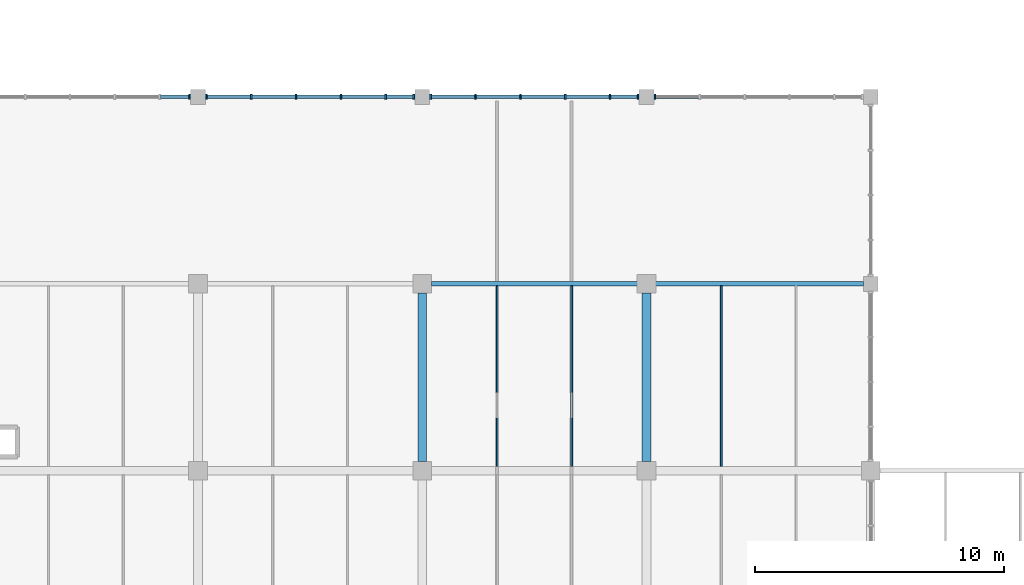
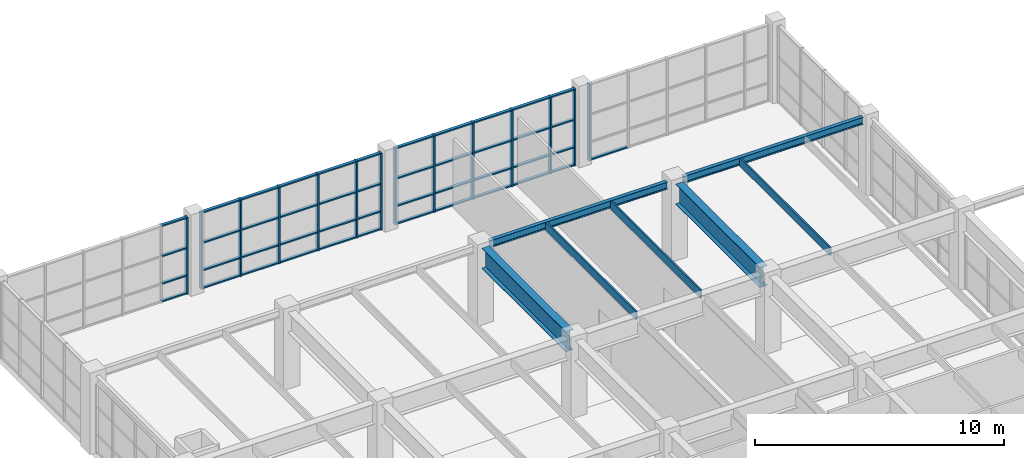
# One storey, part 16 of 76: 59 members, 7 beams, 4 elements without a shape of their own.
"""IFC4 building model written with IfcOpenShell, lengths in metres."""

from ifc_helpers import new_model, si_unit, direction, frame, origin, origin_2d, place, context, subcontext, project, spatial, rectangle, i_section, extrude, material, layer, layer_set, material_profile, profile_set, type_object, element, aggregate, save


model = new_model("IFC4")

# Units and contexts
model_context = context("Model", 3, precision=1e-05, world=origin(), true_north=direction((0.0, 1.0)))
body_context = subcontext(model_context, "Body", "Model", "MODEL_VIEW")
ifc_project = project(units=[si_unit("LENGTHUNIT", "METRE"), si_unit("AREAUNIT", "SQUARE_METRE"), si_unit("VOLUMEUNIT", "CUBIC_METRE"), si_unit("PLANEANGLEUNIT", "RADIAN"), si_unit("MASSUNIT", "GRAM", prefix="KILO")], contexts=[model_context])

# Site, building, storey
site_placement = place(None, origin())
site = spatial("IfcSite", under=ifc_project, at=site_placement, CompositionType="ELEMENT")
building_placement = place(site_placement, origin())
building = spatial("IfcBuilding", under=site, at=building_placement, Name="Marnridge Secondary College", CompositionType="ELEMENT")
storey_placement = place(building_placement, frame((0.0, 0.0, 4.5)))
storey = spatial("IfcBuildingStorey", under=building, at=storey_placement, Name="L01", CompositionType="ELEMENT", Elevation=4.5)

# Beams
ifc_material_1 = material(Name="Engineered timber LVL E13.2", Category="wood")
ifc_material_profile_1 = material_profile(ifc_material_1, rectangle(XDim=0.074951171875, YDim=0.39990234375, at=origin_2d()), Name="LVL 75x400")
ifc_profile_set_1 = profile_set([ifc_material_profile_1], Name="Engineered timber LVL E13.2")
beam_type_1 = type_object("IfcBeamType", Name="BM-LVL400-INT", PredefinedType="JOIST", material=ifc_profile_set_1)
for number, where, z_axis, x_axis, name in (
    (1, (21.0, 30.1689453125, 3.570068359375), (0.0, 1.0, 0.0), (-1.0, 0.0, 0.0), "Beam BJ-L01-0752"),
    (2, (24.0, 30.1689453125, 3.570068359375), (0.0, 1.0, 0.0), (-1.0, 0.0, 0.0), "Beam BJ-L01-0753"),
    (3, (30.0, 30.1689453125, 3.570068359375), (0.0, 1.0, 0.0), (-1.0, 0.0, 0.0), "Beam BJ-L01-0754"),
):
    element("IfcBeam", number, at=place(storey_placement, frame(where, z_axis=z_axis, x_axis=x_axis)), inside=storey, type_object=beam_type_1, Name=name, PredefinedType="JOIST", context=body_context, shape_type="SweptSolid", body=[
        extrude(rectangle(XDim=0.074951171875, YDim=0.39990234375, at=origin_2d()), origin(), (0.0, 0.0, 1.0), 7.25146484375),
    ])
ifc_material_2 = material(Name="Structural steel Grade 350 (AS/NZS 3679.1/.2, fy = 340-360 MPa)", Category="steel")
ifc_material_profile_2 = material_profile(ifc_material_2, i_section(OverallWidth=0.1708984375, OverallDepth=0.35205078125, WebThickness=0.0068359375, FlangeThickness=0.009765625, FilletRadius=0.011474609375, at=origin_2d()), Name="360UB44.7")
ifc_profile_set_2 = profile_set([ifc_material_profile_2], Name="Structural steel Grade 350 (AS/NZS 3679.1/.2, fy = 340-360 MPa)")
beam_type_2 = type_object("IfcBeamType", Name="BM-UB360-EXT", PredefinedType="SPANDREL", material=ifc_profile_set_2)
beam_1_placement = place(storey_placement, frame((18.368896484375, 37.5, 3.593994140625), z_axis=(1.0, 0.0, 0.0), x_axis=(0.0, 1.0, 0.0)))
element("IfcBeam", 4, at=beam_1_placement, inside=storey, type_object=beam_type_2, Name="Beam BS-L01-0709", PredefinedType="SPANDREL", context=body_context, shape_type="SweptSolid", body=[
    extrude(i_section(OverallWidth=0.1708984375, OverallDepth=0.35205078125, WebThickness=0.0068359375, FlangeThickness=0.009765625, FilletRadius=0.011474609375, at=origin_2d()), origin(), (0.0, 0.0, 1.0), 8.26220703125),
])
beam_2_placement = place(storey_placement, frame((27.368896484375, 37.5, 3.593994140625), z_axis=(1.0, 0.0, 0.0), x_axis=(0.0, 1.0, 0.0)))
element("IfcBeam", 5, at=beam_2_placement, inside=storey, type_object=beam_type_2, Name="Beam BS-L01-0711", PredefinedType="SPANDREL", context=body_context, shape_type="SweptSolid", body=[
    extrude(i_section(OverallWidth=0.1708984375, OverallDepth=0.35205078125, WebThickness=0.0068359375, FlangeThickness=0.009765625, FilletRadius=0.011474609375, at=origin_2d()), origin(), (0.0, 0.0, 1.0), 8.337158203125),
])
ifc_material_3 = material(Name="Structural steel Grade 350 (AS/NZS 3679.1/.2, fy = 340-360 MPa)", Category="steel")
ifc_material_profile_3 = material_profile(ifc_material_3, i_section(OverallWidth=0.35009765625, OverallDepth=0.989990234375, WebThickness=0.01611328125, FlangeThickness=0.02490234375, at=origin_2d()), Name="1000WB258")
ifc_profile_set_3 = profile_set([ifc_material_profile_3], Name="Structural steel Grade 350 (AS/NZS 3679.1/.2, fy = 340-360 MPa)")
beam_type_3 = type_object("IfcBeamType", Name="BM-WB1000-INT", PredefinedType="BEAM", material=ifc_profile_set_3)
for number, where, z_axis, x_axis, name in (
    (6, (18.0, 30.368896484375, 3.27490234375), (0.0, 1.0, 0.0), (-1.0, 0.0, 0.0), "Beam B-L01-0708"),
    (7, (27.0, 30.368896484375, 3.27490234375), (0.0, 1.0, 0.0), (-1.0, 0.0, 0.0), "Beam B-L01-0710"),
):
    element("IfcBeam", number, at=place(storey_placement, frame(where, z_axis=z_axis, x_axis=x_axis)), inside=storey, type_object=beam_type_3, Name=name, PredefinedType="BEAM", context=body_context, shape_type="SweptSolid", body=[
        extrude(i_section(OverallWidth=0.35009765625, OverallDepth=0.989990234375, WebThickness=0.01611328125, FlangeThickness=0.02490234375, at=origin_2d()), origin(), (0.0, 0.0, 1.0), 6.76220703125),
    ])

# Curtain wall, member
ifc_material_4 = material(Name="Bronze-anodised aluminium and solar-control glazing", Category="aluminium")
ifc_layer = layer(ifc_material_4, 0.199951171875)
ifc_layer_set = layer_set([ifc_layer], Name="CW-MOD-1800")
curtain_wall_type = type_object("IfcCurtainWallType", Name="CW-MOD-1800", PredefinedType="NOTDEFINED", material=ifc_layer_set)
curtain_wall_1_placement = place(storey_placement, origin())
curtain_wall_1 = element("IfcCurtainWall", 8, at=curtain_wall_1_placement, inside=storey, type_object=curtain_wall_type, Name="Unitised curtain wall CW-L01-059", PredefinedType="NOTDEFINED")
ifc_material_5 = material(Name="Bronze-anodised aluminium 6063-T6", Category="aluminium")
ifc_material_profile_4 = material_profile(ifc_material_5, rectangle(XDim=0.070068359375, YDim=0.199951171875, at=origin_2d()), Name="ALU 70x200")
ifc_profile_set_4 = profile_set([ifc_material_profile_4], Name="Bronze-anodised aluminium 6063-T6")
member_type_1 = type_object("IfcMemberType", Name="CWM-ALU200", PredefinedType="MULLION", material=ifc_profile_set_4)
member_1_placement = place(storey_placement, frame((8.660888671875, 45.0, 0.0), z_axis=(0.0, 0.0, 1.0), x_axis=(1.0, 0.0, 0.0)))
member_1 = element("IfcMember", 9, at=member_1_placement, type_object=member_type_1, Name="CW-L01-059 mullion 6", PredefinedType="MULLION", context=body_context, shape_type="SweptSolid", body=[
    extrude(rectangle(XDim=0.070068359375, YDim=0.199951171875, at=origin_2d()), origin(), (0.0, 0.0, 1.0), 3.77001953125),
])

# Curtain wall, members
curtain_wall_2_placement = place(storey_placement, origin())
curtain_wall_2 = element("IfcCurtainWall", 10, at=curtain_wall_2_placement, inside=storey, type_object=curtain_wall_type, Name="Unitised curtain wall CW-L01-060", PredefinedType="NOTDEFINED")
member_2_placement = place(storey_placement, frame((9.339111328125, 45.0, 0.0), z_axis=(0.0, 0.0, 1.0), x_axis=(1.0, 0.0, 0.0)))
member_2 = element("IfcMember", 11, at=member_2_placement, type_object=member_type_1, Name="CW-L01-060 mullion 1", PredefinedType="MULLION", context=body_context, shape_type="SweptSolid", body=[
    extrude(rectangle(XDim=0.070068359375, YDim=0.199951171875, at=origin_2d()), origin(), (0.0, 0.0, 1.0), 3.77001953125),
])
member_3_placement = place(storey_placement, frame((11.138916015625, 45.0, 0.0), z_axis=(0.0, 0.0, 1.0), x_axis=(1.0, 0.0, 0.0)))
member_3 = element("IfcMember", 12, at=member_3_placement, type_object=member_type_1, Name="CW-L01-060 mullion 2", PredefinedType="MULLION", context=body_context, shape_type="SweptSolid", body=[
    extrude(rectangle(XDim=0.070068359375, YDim=0.199951171875, at=origin_2d()), origin(), (0.0, 0.0, 1.0), 3.77001953125),
])
member_4_placement = place(storey_placement, frame((12.93896484375, 45.0, 0.0), z_axis=(0.0, 0.0, 1.0), x_axis=(1.0, 0.0, 0.0)))
member_4 = element("IfcMember", 13, at=member_4_placement, type_object=member_type_1, Name="CW-L01-060 mullion 3", PredefinedType="MULLION", context=body_context, shape_type="SweptSolid", body=[
    extrude(rectangle(XDim=0.070068359375, YDim=0.199951171875, at=origin_2d()), origin(), (0.0, 0.0, 1.0), 3.77001953125),
])
member_5_placement = place(storey_placement, frame((14.739013671875, 45.0, 0.0), z_axis=(0.0, 0.0, 1.0), x_axis=(1.0, 0.0, 0.0)))
member_5 = element("IfcMember", 14, at=member_5_placement, type_object=member_type_1, Name="CW-L01-060 mullion 4", PredefinedType="MULLION", context=body_context, shape_type="SweptSolid", body=[
    extrude(rectangle(XDim=0.070068359375, YDim=0.199951171875, at=origin_2d()), origin(), (0.0, 0.0, 1.0), 3.77001953125),
])
member_6_placement = place(storey_placement, frame((16.5390625, 45.0, 0.0), z_axis=(0.0, 0.0, 1.0), x_axis=(1.0, 0.0, 0.0)))
member_6 = element("IfcMember", 15, at=member_6_placement, type_object=member_type_1, Name="CW-L01-060 mullion 5", PredefinedType="MULLION", context=body_context, shape_type="SweptSolid", body=[
    extrude(rectangle(XDim=0.070068359375, YDim=0.199951171875, at=origin_2d()), origin(), (0.0, 0.0, 1.0), 3.77001953125),
])
member_7_placement = place(storey_placement, frame((17.660888671875, 45.0, 0.0), z_axis=(0.0, 0.0, 1.0), x_axis=(1.0, 0.0, 0.0)))
member_7 = element("IfcMember", 16, at=member_7_placement, type_object=member_type_1, Name="CW-L01-060 mullion 6", PredefinedType="MULLION", context=body_context, shape_type="SweptSolid", body=[
    extrude(rectangle(XDim=0.070068359375, YDim=0.199951171875, at=origin_2d()), origin(), (0.0, 0.0, 1.0), 3.77001953125),
])

curtain_wall_3_placement = place(storey_placement, origin())
curtain_wall_3 = element("IfcCurtainWall", 17, at=curtain_wall_3_placement, inside=storey, type_object=curtain_wall_type, Name="Unitised curtain wall CW-L01-061", PredefinedType="NOTDEFINED")
member_8_placement = place(storey_placement, frame((18.339111328125, 45.0, 0.0), z_axis=(0.0, 0.0, 1.0), x_axis=(1.0, 0.0, 0.0)))
member_8 = element("IfcMember", 18, at=member_8_placement, type_object=member_type_1, Name="CW-L01-061 mullion 1", PredefinedType="MULLION", context=body_context, shape_type="SweptSolid", body=[
    extrude(rectangle(XDim=0.070068359375, YDim=0.199951171875, at=origin_2d()), origin(), (0.0, 0.0, 1.0), 3.77001953125),
])
member_9_placement = place(storey_placement, frame((20.138916015625, 45.0, 0.0), z_axis=(0.0, 0.0, 1.0), x_axis=(1.0, 0.0, 0.0)))
member_9 = element("IfcMember", 19, at=member_9_placement, type_object=member_type_1, Name="CW-L01-061 mullion 2", PredefinedType="MULLION", context=body_context, shape_type="SweptSolid", body=[
    extrude(rectangle(XDim=0.070068359375, YDim=0.199951171875, at=origin_2d()), origin(), (0.0, 0.0, 1.0), 3.77001953125),
])
member_10_placement = place(storey_placement, frame((21.93896484375, 45.0, 0.0), z_axis=(0.0, 0.0, 1.0), x_axis=(1.0, 0.0, 0.0)))
member_10 = element("IfcMember", 20, at=member_10_placement, type_object=member_type_1, Name="CW-L01-061 mullion 3", PredefinedType="MULLION", context=body_context, shape_type="SweptSolid", body=[
    extrude(rectangle(XDim=0.070068359375, YDim=0.199951171875, at=origin_2d()), origin(), (0.0, 0.0, 1.0), 3.77001953125),
])
member_11_placement = place(storey_placement, frame((23.739013671875, 45.0, 0.0), z_axis=(0.0, 0.0, 1.0), x_axis=(1.0, 0.0, 0.0)))
member_11 = element("IfcMember", 21, at=member_11_placement, type_object=member_type_1, Name="CW-L01-061 mullion 4", PredefinedType="MULLION", context=body_context, shape_type="SweptSolid", body=[
    extrude(rectangle(XDim=0.070068359375, YDim=0.199951171875, at=origin_2d()), origin(), (0.0, 0.0, 1.0), 3.77001953125),
])
member_12_placement = place(storey_placement, frame((25.5390625, 45.0, 0.0), z_axis=(0.0, 0.0, 1.0), x_axis=(1.0, 0.0, 0.0)))
member_12 = element("IfcMember", 22, at=member_12_placement, type_object=member_type_1, Name="CW-L01-061 mullion 5", PredefinedType="MULLION", context=body_context, shape_type="SweptSolid", body=[
    extrude(rectangle(XDim=0.070068359375, YDim=0.199951171875, at=origin_2d()), origin(), (0.0, 0.0, 1.0), 3.77001953125),
])
member_13_placement = place(storey_placement, frame((26.660888671875, 45.0, 0.0), z_axis=(0.0, 0.0, 1.0), x_axis=(1.0, 0.0, 0.0)))
member_13 = element("IfcMember", 23, at=member_13_placement, type_object=member_type_1, Name="CW-L01-061 mullion 6", PredefinedType="MULLION", context=body_context, shape_type="SweptSolid", body=[
    extrude(rectangle(XDim=0.070068359375, YDim=0.199951171875, at=origin_2d()), origin(), (0.0, 0.0, 1.0), 3.77001953125),
])

# Curtain wall, member
curtain_wall_4_placement = place(storey_placement, origin())
curtain_wall_4 = element("IfcCurtainWall", 24, at=curtain_wall_4_placement, inside=storey, type_object=curtain_wall_type, Name="Unitised curtain wall CW-L01-062", PredefinedType="NOTDEFINED")
member_14_placement = place(storey_placement, frame((27.339111328125, 45.0, 0.0), z_axis=(0.0, 0.0, 1.0), x_axis=(1.0, 0.0, 0.0)))
member_14 = element("IfcMember", 25, at=member_14_placement, type_object=member_type_1, Name="CW-L01-062 mullion 1", PredefinedType="MULLION", context=body_context, shape_type="SweptSolid", body=[
    extrude(rectangle(XDim=0.070068359375, YDim=0.199951171875, at=origin_2d()), origin(), (0.0, 0.0, 1.0), 3.77001953125),
])

# Member
ifc_material_6 = material(Name="Anodised aluminium 6063-T6", Category="aluminium")
ifc_material_profile_5 = material_profile(ifc_material_6, rectangle(XDim=0.06494140625, YDim=0.139892578125, at=origin_2d()), Name="ALU 65x140")
ifc_profile_set_5 = profile_set([ifc_material_profile_5], Name="Anodised aluminium 6063-T6")
member_type_2 = type_object("IfcMemberType", Name="CWT-ALU140", PredefinedType="USERDEFINED", material=ifc_profile_set_5)
member_15_placement = place(storey_placement, frame((7.4990234375, 45.0, 0.032470703125), z_axis=(1.0, 0.0, 0.0), x_axis=(0.0, 0.0, 1.0)))
member_15 = element("IfcMember", 26, at=member_15_placement, type_object=member_type_2, Name="CW-L01-059 transom 5.1", ObjectType="TRANSOM", PredefinedType="USERDEFINED", context=body_context, shape_type="SweptSolid", body=[
    extrude(rectangle(XDim=0.06494140625, YDim=0.139892578125, at=origin_2d()), origin(), (0.0, 0.0, 1.0), 1.126953125),
])

member_16_placement = place(storey_placement, frame((7.4990234375, 45.0, 0.89990234375), z_axis=(1.0, 0.0, 0.0), x_axis=(0.0, 0.0, 1.0)))
member_16 = element("IfcMember", 27, at=member_16_placement, type_object=member_type_2, Name="CW-L01-059 transom 5.2", ObjectType="TRANSOM", PredefinedType="USERDEFINED", context=body_context, shape_type="SweptSolid", body=[
    extrude(rectangle(XDim=0.06494140625, YDim=0.139892578125, at=origin_2d()), origin(), (0.0, 0.0, 1.0), 1.126953125),
])

member_17_placement = place(storey_placement, frame((7.4990234375, 45.0, 2.25), z_axis=(1.0, 0.0, 0.0), x_axis=(0.0, 0.0, 1.0)))
member_17 = element("IfcMember", 28, at=member_17_placement, type_object=member_type_2, Name="CW-L01-059 transom 5.3", ObjectType="TRANSOM", PredefinedType="USERDEFINED", context=body_context, shape_type="SweptSolid", body=[
    extrude(rectangle(XDim=0.06494140625, YDim=0.139892578125, at=origin_2d()), origin(), (0.0, 0.0, 1.0), 1.126953125),
])

member_18_placement = place(storey_placement, frame((7.4990234375, 45.0, 3.737548828125), z_axis=(1.0, 0.0, 0.0), x_axis=(0.0, 0.0, 1.0)))
member_18 = element("IfcMember", 29, at=member_18_placement, type_object=member_type_2, Name="CW-L01-059 transom 5.4", ObjectType="TRANSOM", PredefinedType="USERDEFINED", context=body_context, shape_type="SweptSolid", body=[
    extrude(rectangle(XDim=0.06494140625, YDim=0.139892578125, at=origin_2d()), origin(), (0.0, 0.0, 1.0), 1.126953125),
])

aggregate(curtain_wall_1, [member_1, member_15, member_16, member_17, member_18])

member_19_placement = place(storey_placement, frame((9.3740234375, 45.0, 0.032470703125), z_axis=(1.0, 0.0, 0.0), x_axis=(0.0, 0.0, 1.0)))
member_19 = element("IfcMember", 30, at=member_19_placement, type_object=member_type_2, Name="CW-L01-060 transom 1.1", ObjectType="TRANSOM", PredefinedType="USERDEFINED", context=body_context, shape_type="SweptSolid", body=[
    extrude(rectangle(XDim=0.06494140625, YDim=0.139892578125, at=origin_2d()), origin(), (0.0, 0.0, 1.0), 1.72998046875),
])

member_20_placement = place(storey_placement, frame((9.3740234375, 45.0, 0.89990234375), z_axis=(1.0, 0.0, 0.0), x_axis=(0.0, 0.0, 1.0)))
member_20 = element("IfcMember", 31, at=member_20_placement, type_object=member_type_2, Name="CW-L01-060 transom 1.2", ObjectType="TRANSOM", PredefinedType="USERDEFINED", context=body_context, shape_type="SweptSolid", body=[
    extrude(rectangle(XDim=0.06494140625, YDim=0.139892578125, at=origin_2d()), origin(), (0.0, 0.0, 1.0), 1.72998046875),
])

member_21_placement = place(storey_placement, frame((9.3740234375, 45.0, 2.25), z_axis=(1.0, 0.0, 0.0), x_axis=(0.0, 0.0, 1.0)))
member_21 = element("IfcMember", 32, at=member_21_placement, type_object=member_type_2, Name="CW-L01-060 transom 1.3", ObjectType="TRANSOM", PredefinedType="USERDEFINED", context=body_context, shape_type="SweptSolid", body=[
    extrude(rectangle(XDim=0.06494140625, YDim=0.139892578125, at=origin_2d()), origin(), (0.0, 0.0, 1.0), 1.72998046875),
])

member_22_placement = place(storey_placement, frame((9.3740234375, 45.0, 3.737548828125), z_axis=(1.0, 0.0, 0.0), x_axis=(0.0, 0.0, 1.0)))
member_22 = element("IfcMember", 33, at=member_22_placement, type_object=member_type_2, Name="CW-L01-060 transom 1.4", ObjectType="TRANSOM", PredefinedType="USERDEFINED", context=body_context, shape_type="SweptSolid", body=[
    extrude(rectangle(XDim=0.06494140625, YDim=0.139892578125, at=origin_2d()), origin(), (0.0, 0.0, 1.0), 1.72998046875),
])

member_23_placement = place(storey_placement, frame((11.174072265625, 45.0, 0.032470703125), z_axis=(1.0, 0.0, 0.0), x_axis=(0.0, 0.0, 1.0)))
member_23 = element("IfcMember", 34, at=member_23_placement, type_object=member_type_2, Name="CW-L01-060 transom 2.1", ObjectType="TRANSOM", PredefinedType="USERDEFINED", context=body_context, shape_type="SweptSolid", body=[
    extrude(rectangle(XDim=0.06494140625, YDim=0.139892578125, at=origin_2d()), origin(), (0.0, 0.0, 1.0), 1.72998046875),
])

member_24_placement = place(storey_placement, frame((11.174072265625, 45.0, 0.89990234375), z_axis=(1.0, 0.0, 0.0), x_axis=(0.0, 0.0, 1.0)))
member_24 = element("IfcMember", 35, at=member_24_placement, type_object=member_type_2, Name="CW-L01-060 transom 2.2", ObjectType="TRANSOM", PredefinedType="USERDEFINED", context=body_context, shape_type="SweptSolid", body=[
    extrude(rectangle(XDim=0.06494140625, YDim=0.139892578125, at=origin_2d()), origin(), (0.0, 0.0, 1.0), 1.72998046875),
])

member_25_placement = place(storey_placement, frame((11.174072265625, 45.0, 2.25), z_axis=(1.0, 0.0, 0.0), x_axis=(0.0, 0.0, 1.0)))
member_25 = element("IfcMember", 36, at=member_25_placement, type_object=member_type_2, Name="CW-L01-060 transom 2.3", ObjectType="TRANSOM", PredefinedType="USERDEFINED", context=body_context, shape_type="SweptSolid", body=[
    extrude(rectangle(XDim=0.06494140625, YDim=0.139892578125, at=origin_2d()), origin(), (0.0, 0.0, 1.0), 1.72998046875),
])

member_26_placement = place(storey_placement, frame((11.174072265625, 45.0, 3.737548828125), z_axis=(1.0, 0.0, 0.0), x_axis=(0.0, 0.0, 1.0)))
member_26 = element("IfcMember", 37, at=member_26_placement, type_object=member_type_2, Name="CW-L01-060 transom 2.4", ObjectType="TRANSOM", PredefinedType="USERDEFINED", context=body_context, shape_type="SweptSolid", body=[
    extrude(rectangle(XDim=0.06494140625, YDim=0.139892578125, at=origin_2d()), origin(), (0.0, 0.0, 1.0), 1.72998046875),
])

member_27_placement = place(storey_placement, frame((12.97412109375, 45.0, 0.032470703125), z_axis=(1.0, 0.0, 0.0), x_axis=(0.0, 0.0, 1.0)))
member_27 = element("IfcMember", 38, at=member_27_placement, type_object=member_type_2, Name="CW-L01-060 transom 3.1", ObjectType="TRANSOM", PredefinedType="USERDEFINED", context=body_context, shape_type="SweptSolid", body=[
    extrude(rectangle(XDim=0.06494140625, YDim=0.139892578125, at=origin_2d()), origin(), (0.0, 0.0, 1.0), 1.72998046875),
])

member_28_placement = place(storey_placement, frame((12.97412109375, 45.0, 0.89990234375), z_axis=(1.0, 0.0, 0.0), x_axis=(0.0, 0.0, 1.0)))
member_28 = element("IfcMember", 39, at=member_28_placement, type_object=member_type_2, Name="CW-L01-060 transom 3.2", ObjectType="TRANSOM", PredefinedType="USERDEFINED", context=body_context, shape_type="SweptSolid", body=[
    extrude(rectangle(XDim=0.06494140625, YDim=0.139892578125, at=origin_2d()), origin(), (0.0, 0.0, 1.0), 1.72998046875),
])

member_29_placement = place(storey_placement, frame((12.97412109375, 45.0, 2.25), z_axis=(1.0, 0.0, 0.0), x_axis=(0.0, 0.0, 1.0)))
member_29 = element("IfcMember", 40, at=member_29_placement, type_object=member_type_2, Name="CW-L01-060 transom 3.3", ObjectType="TRANSOM", PredefinedType="USERDEFINED", context=body_context, shape_type="SweptSolid", body=[
    extrude(rectangle(XDim=0.06494140625, YDim=0.139892578125, at=origin_2d()), origin(), (0.0, 0.0, 1.0), 1.72998046875),
])

member_30_placement = place(storey_placement, frame((12.97412109375, 45.0, 3.737548828125), z_axis=(1.0, 0.0, 0.0), x_axis=(0.0, 0.0, 1.0)))
member_30 = element("IfcMember", 41, at=member_30_placement, type_object=member_type_2, Name="CW-L01-060 transom 3.4", ObjectType="TRANSOM", PredefinedType="USERDEFINED", context=body_context, shape_type="SweptSolid", body=[
    extrude(rectangle(XDim=0.06494140625, YDim=0.139892578125, at=origin_2d()), origin(), (0.0, 0.0, 1.0), 1.72998046875),
])

member_31_placement = place(storey_placement, frame((14.77392578125, 45.0, 0.032470703125), z_axis=(1.0, 0.0, 0.0), x_axis=(0.0, 0.0, 1.0)))
member_31 = element("IfcMember", 42, at=member_31_placement, type_object=member_type_2, Name="CW-L01-060 transom 4.1", ObjectType="TRANSOM", PredefinedType="USERDEFINED", context=body_context, shape_type="SweptSolid", body=[
    extrude(rectangle(XDim=0.06494140625, YDim=0.139892578125, at=origin_2d()), origin(), (0.0, 0.0, 1.0), 1.72998046875),
])

member_32_placement = place(storey_placement, frame((14.77392578125, 45.0, 0.89990234375), z_axis=(1.0, 0.0, 0.0), x_axis=(0.0, 0.0, 1.0)))
member_32 = element("IfcMember", 43, at=member_32_placement, type_object=member_type_2, Name="CW-L01-060 transom 4.2", ObjectType="TRANSOM", PredefinedType="USERDEFINED", context=body_context, shape_type="SweptSolid", body=[
    extrude(rectangle(XDim=0.06494140625, YDim=0.139892578125, at=origin_2d()), origin(), (0.0, 0.0, 1.0), 1.72998046875),
])

member_33_placement = place(storey_placement, frame((14.77392578125, 45.0, 2.25), z_axis=(1.0, 0.0, 0.0), x_axis=(0.0, 0.0, 1.0)))
member_33 = element("IfcMember", 44, at=member_33_placement, type_object=member_type_2, Name="CW-L01-060 transom 4.3", ObjectType="TRANSOM", PredefinedType="USERDEFINED", context=body_context, shape_type="SweptSolid", body=[
    extrude(rectangle(XDim=0.06494140625, YDim=0.139892578125, at=origin_2d()), origin(), (0.0, 0.0, 1.0), 1.72998046875),
])

member_34_placement = place(storey_placement, frame((14.77392578125, 45.0, 3.737548828125), z_axis=(1.0, 0.0, 0.0), x_axis=(0.0, 0.0, 1.0)))
member_34 = element("IfcMember", 45, at=member_34_placement, type_object=member_type_2, Name="CW-L01-060 transom 4.4", ObjectType="TRANSOM", PredefinedType="USERDEFINED", context=body_context, shape_type="SweptSolid", body=[
    extrude(rectangle(XDim=0.06494140625, YDim=0.139892578125, at=origin_2d()), origin(), (0.0, 0.0, 1.0), 1.72998046875),
])

member_35_placement = place(storey_placement, frame((16.573974609375, 45.0, 0.032470703125), z_axis=(1.0, 0.0, 0.0), x_axis=(0.0, 0.0, 1.0)))
member_35 = element("IfcMember", 46, at=member_35_placement, type_object=member_type_2, Name="CW-L01-060 transom 5.1", ObjectType="TRANSOM", PredefinedType="USERDEFINED", context=body_context, shape_type="SweptSolid", body=[
    extrude(rectangle(XDim=0.06494140625, YDim=0.139892578125, at=origin_2d()), origin(), (0.0, 0.0, 1.0), 1.052001953125),
])

member_36_placement = place(storey_placement, frame((16.573974609375, 45.0, 0.89990234375), z_axis=(1.0, 0.0, 0.0), x_axis=(0.0, 0.0, 1.0)))
member_36 = element("IfcMember", 47, at=member_36_placement, type_object=member_type_2, Name="CW-L01-060 transom 5.2", ObjectType="TRANSOM", PredefinedType="USERDEFINED", context=body_context, shape_type="SweptSolid", body=[
    extrude(rectangle(XDim=0.06494140625, YDim=0.139892578125, at=origin_2d()), origin(), (0.0, 0.0, 1.0), 1.052001953125),
])

member_37_placement = place(storey_placement, frame((16.573974609375, 45.0, 2.25), z_axis=(1.0, 0.0, 0.0), x_axis=(0.0, 0.0, 1.0)))
member_37 = element("IfcMember", 48, at=member_37_placement, type_object=member_type_2, Name="CW-L01-060 transom 5.3", ObjectType="TRANSOM", PredefinedType="USERDEFINED", context=body_context, shape_type="SweptSolid", body=[
    extrude(rectangle(XDim=0.06494140625, YDim=0.139892578125, at=origin_2d()), origin(), (0.0, 0.0, 1.0), 1.052001953125),
])

member_38_placement = place(storey_placement, frame((16.573974609375, 45.0, 3.737548828125), z_axis=(1.0, 0.0, 0.0), x_axis=(0.0, 0.0, 1.0)))
member_38 = element("IfcMember", 49, at=member_38_placement, type_object=member_type_2, Name="CW-L01-060 transom 5.4", ObjectType="TRANSOM", PredefinedType="USERDEFINED", context=body_context, shape_type="SweptSolid", body=[
    extrude(rectangle(XDim=0.06494140625, YDim=0.139892578125, at=origin_2d()), origin(), (0.0, 0.0, 1.0), 1.052001953125),
])

aggregate(curtain_wall_2, [member_2, member_3, member_4, member_5, member_6, member_7, member_19, member_20, member_21, member_22, member_23, member_24, member_25, member_26, member_27, member_28, member_29, member_30, member_31, member_32, member_33, member_34, member_35, member_36, member_37, member_38])

member_39_placement = place(storey_placement, frame((18.3740234375, 45.0, 0.032470703125), z_axis=(1.0, 0.0, 0.0), x_axis=(0.0, 0.0, 1.0)))
member_39 = element("IfcMember", 50, at=member_39_placement, type_object=member_type_2, Name="CW-L01-061 transom 1.1", ObjectType="TRANSOM", PredefinedType="USERDEFINED", context=body_context, shape_type="SweptSolid", body=[
    extrude(rectangle(XDim=0.06494140625, YDim=0.139892578125, at=origin_2d()), origin(), (0.0, 0.0, 1.0), 1.72998046875),
])

member_40_placement = place(storey_placement, frame((18.3740234375, 45.0, 0.89990234375), z_axis=(1.0, 0.0, 0.0), x_axis=(0.0, 0.0, 1.0)))
member_40 = element("IfcMember", 51, at=member_40_placement, type_object=member_type_2, Name="CW-L01-061 transom 1.2", ObjectType="TRANSOM", PredefinedType="USERDEFINED", context=body_context, shape_type="SweptSolid", body=[
    extrude(rectangle(XDim=0.06494140625, YDim=0.139892578125, at=origin_2d()), origin(), (0.0, 0.0, 1.0), 1.72998046875),
])

member_41_placement = place(storey_placement, frame((18.3740234375, 45.0, 2.25), z_axis=(1.0, 0.0, 0.0), x_axis=(0.0, 0.0, 1.0)))
member_41 = element("IfcMember", 52, at=member_41_placement, type_object=member_type_2, Name="CW-L01-061 transom 1.3", ObjectType="TRANSOM", PredefinedType="USERDEFINED", context=body_context, shape_type="SweptSolid", body=[
    extrude(rectangle(XDim=0.06494140625, YDim=0.139892578125, at=origin_2d()), origin(), (0.0, 0.0, 1.0), 1.72998046875),
])

member_42_placement = place(storey_placement, frame((18.3740234375, 45.0, 3.737548828125), z_axis=(1.0, 0.0, 0.0), x_axis=(0.0, 0.0, 1.0)))
member_42 = element("IfcMember", 53, at=member_42_placement, type_object=member_type_2, Name="CW-L01-061 transom 1.4", ObjectType="TRANSOM", PredefinedType="USERDEFINED", context=body_context, shape_type="SweptSolid", body=[
    extrude(rectangle(XDim=0.06494140625, YDim=0.139892578125, at=origin_2d()), origin(), (0.0, 0.0, 1.0), 1.72998046875),
])

member_43_placement = place(storey_placement, frame((20.174072265625, 45.0, 0.032470703125), z_axis=(1.0, 0.0, 0.0), x_axis=(0.0, 0.0, 1.0)))
member_43 = element("IfcMember", 54, at=member_43_placement, type_object=member_type_2, Name="CW-L01-061 transom 2.1", ObjectType="TRANSOM", PredefinedType="USERDEFINED", context=body_context, shape_type="SweptSolid", body=[
    extrude(rectangle(XDim=0.06494140625, YDim=0.139892578125, at=origin_2d()), origin(), (0.0, 0.0, 1.0), 1.72998046875),
])

member_44_placement = place(storey_placement, frame((20.174072265625, 45.0, 0.89990234375), z_axis=(1.0, 0.0, 0.0), x_axis=(0.0, 0.0, 1.0)))
member_44 = element("IfcMember", 55, at=member_44_placement, type_object=member_type_2, Name="CW-L01-061 transom 2.2", ObjectType="TRANSOM", PredefinedType="USERDEFINED", context=body_context, shape_type="SweptSolid", body=[
    extrude(rectangle(XDim=0.06494140625, YDim=0.139892578125, at=origin_2d()), origin(), (0.0, 0.0, 1.0), 1.72998046875),
])

member_45_placement = place(storey_placement, frame((20.174072265625, 45.0, 2.25), z_axis=(1.0, 0.0, 0.0), x_axis=(0.0, 0.0, 1.0)))
member_45 = element("IfcMember", 56, at=member_45_placement, type_object=member_type_2, Name="CW-L01-061 transom 2.3", ObjectType="TRANSOM", PredefinedType="USERDEFINED", context=body_context, shape_type="SweptSolid", body=[
    extrude(rectangle(XDim=0.06494140625, YDim=0.139892578125, at=origin_2d()), origin(), (0.0, 0.0, 1.0), 1.72998046875),
])

member_46_placement = place(storey_placement, frame((20.174072265625, 45.0, 3.737548828125), z_axis=(1.0, 0.0, 0.0), x_axis=(0.0, 0.0, 1.0)))
member_46 = element("IfcMember", 57, at=member_46_placement, type_object=member_type_2, Name="CW-L01-061 transom 2.4", ObjectType="TRANSOM", PredefinedType="USERDEFINED", context=body_context, shape_type="SweptSolid", body=[
    extrude(rectangle(XDim=0.06494140625, YDim=0.139892578125, at=origin_2d()), origin(), (0.0, 0.0, 1.0), 1.72998046875),
])

member_47_placement = place(storey_placement, frame((21.97412109375, 45.0, 0.032470703125), z_axis=(1.0, 0.0, 0.0), x_axis=(0.0, 0.0, 1.0)))
member_47 = element("IfcMember", 58, at=member_47_placement, type_object=member_type_2, Name="CW-L01-061 transom 3.1", ObjectType="TRANSOM", PredefinedType="USERDEFINED", context=body_context, shape_type="SweptSolid", body=[
    extrude(rectangle(XDim=0.06494140625, YDim=0.139892578125, at=origin_2d()), origin(), (0.0, 0.0, 1.0), 1.72998046875),
])

member_48_placement = place(storey_placement, frame((21.97412109375, 45.0, 0.89990234375), z_axis=(1.0, 0.0, 0.0), x_axis=(0.0, 0.0, 1.0)))
member_48 = element("IfcMember", 59, at=member_48_placement, type_object=member_type_2, Name="CW-L01-061 transom 3.2", ObjectType="TRANSOM", PredefinedType="USERDEFINED", context=body_context, shape_type="SweptSolid", body=[
    extrude(rectangle(XDim=0.06494140625, YDim=0.139892578125, at=origin_2d()), origin(), (0.0, 0.0, 1.0), 1.72998046875),
])

member_49_placement = place(storey_placement, frame((21.97412109375, 45.0, 2.25), z_axis=(1.0, 0.0, 0.0), x_axis=(0.0, 0.0, 1.0)))
member_49 = element("IfcMember", 60, at=member_49_placement, type_object=member_type_2, Name="CW-L01-061 transom 3.3", ObjectType="TRANSOM", PredefinedType="USERDEFINED", context=body_context, shape_type="SweptSolid", body=[
    extrude(rectangle(XDim=0.06494140625, YDim=0.139892578125, at=origin_2d()), origin(), (0.0, 0.0, 1.0), 1.72998046875),
])

member_50_placement = place(storey_placement, frame((21.97412109375, 45.0, 3.737548828125), z_axis=(1.0, 0.0, 0.0), x_axis=(0.0, 0.0, 1.0)))
member_50 = element("IfcMember", 61, at=member_50_placement, type_object=member_type_2, Name="CW-L01-061 transom 3.4", ObjectType="TRANSOM", PredefinedType="USERDEFINED", context=body_context, shape_type="SweptSolid", body=[
    extrude(rectangle(XDim=0.06494140625, YDim=0.139892578125, at=origin_2d()), origin(), (0.0, 0.0, 1.0), 1.72998046875),
])

member_51_placement = place(storey_placement, frame((23.77392578125, 45.0, 0.032470703125), z_axis=(1.0, 0.0, 0.0), x_axis=(0.0, 0.0, 1.0)))
member_51 = element("IfcMember", 62, at=member_51_placement, type_object=member_type_2, Name="CW-L01-061 transom 4.1", ObjectType="TRANSOM", PredefinedType="USERDEFINED", context=body_context, shape_type="SweptSolid", body=[
    extrude(rectangle(XDim=0.06494140625, YDim=0.139892578125, at=origin_2d()), origin(), (0.0, 0.0, 1.0), 1.72998046875),
])

member_52_placement = place(storey_placement, frame((23.77392578125, 45.0, 0.89990234375), z_axis=(1.0, 0.0, 0.0), x_axis=(0.0, 0.0, 1.0)))
member_52 = element("IfcMember", 63, at=member_52_placement, type_object=member_type_2, Name="CW-L01-061 transom 4.2", ObjectType="TRANSOM", PredefinedType="USERDEFINED", context=body_context, shape_type="SweptSolid", body=[
    extrude(rectangle(XDim=0.06494140625, YDim=0.139892578125, at=origin_2d()), origin(), (0.0, 0.0, 1.0), 1.72998046875),
])

member_53_placement = place(storey_placement, frame((23.77392578125, 45.0, 2.25), z_axis=(1.0, 0.0, 0.0), x_axis=(0.0, 0.0, 1.0)))
member_53 = element("IfcMember", 64, at=member_53_placement, type_object=member_type_2, Name="CW-L01-061 transom 4.3", ObjectType="TRANSOM", PredefinedType="USERDEFINED", context=body_context, shape_type="SweptSolid", body=[
    extrude(rectangle(XDim=0.06494140625, YDim=0.139892578125, at=origin_2d()), origin(), (0.0, 0.0, 1.0), 1.72998046875),
])

member_54_placement = place(storey_placement, frame((23.77392578125, 45.0, 3.737548828125), z_axis=(1.0, 0.0, 0.0), x_axis=(0.0, 0.0, 1.0)))
member_54 = element("IfcMember", 65, at=member_54_placement, type_object=member_type_2, Name="CW-L01-061 transom 4.4", ObjectType="TRANSOM", PredefinedType="USERDEFINED", context=body_context, shape_type="SweptSolid", body=[
    extrude(rectangle(XDim=0.06494140625, YDim=0.139892578125, at=origin_2d()), origin(), (0.0, 0.0, 1.0), 1.72998046875),
])

member_55_placement = place(storey_placement, frame((25.573974609375, 45.0, 0.032470703125), z_axis=(1.0, 0.0, 0.0), x_axis=(0.0, 0.0, 1.0)))
member_55 = element("IfcMember", 66, at=member_55_placement, type_object=member_type_2, Name="CW-L01-061 transom 5.1", ObjectType="TRANSOM", PredefinedType="USERDEFINED", context=body_context, shape_type="SweptSolid", body=[
    extrude(rectangle(XDim=0.06494140625, YDim=0.139892578125, at=origin_2d()), origin(), (0.0, 0.0, 1.0), 1.052001953125),
])

member_56_placement = place(storey_placement, frame((25.573974609375, 45.0, 0.89990234375), z_axis=(1.0, 0.0, 0.0), x_axis=(0.0, 0.0, 1.0)))
member_56 = element("IfcMember", 67, at=member_56_placement, type_object=member_type_2, Name="CW-L01-061 transom 5.2", ObjectType="TRANSOM", PredefinedType="USERDEFINED", context=body_context, shape_type="SweptSolid", body=[
    extrude(rectangle(XDim=0.06494140625, YDim=0.139892578125, at=origin_2d()), origin(), (0.0, 0.0, 1.0), 1.052001953125),
])

member_57_placement = place(storey_placement, frame((25.573974609375, 45.0, 2.25), z_axis=(1.0, 0.0, 0.0), x_axis=(0.0, 0.0, 1.0)))
member_57 = element("IfcMember", 68, at=member_57_placement, type_object=member_type_2, Name="CW-L01-061 transom 5.3", ObjectType="TRANSOM", PredefinedType="USERDEFINED", context=body_context, shape_type="SweptSolid", body=[
    extrude(rectangle(XDim=0.06494140625, YDim=0.139892578125, at=origin_2d()), origin(), (0.0, 0.0, 1.0), 1.052001953125),
])

member_58_placement = place(storey_placement, frame((25.573974609375, 45.0, 3.737548828125), z_axis=(1.0, 0.0, 0.0), x_axis=(0.0, 0.0, 1.0)))
member_58 = element("IfcMember", 69, at=member_58_placement, type_object=member_type_2, Name="CW-L01-061 transom 5.4", ObjectType="TRANSOM", PredefinedType="USERDEFINED", context=body_context, shape_type="SweptSolid", body=[
    extrude(rectangle(XDim=0.06494140625, YDim=0.139892578125, at=origin_2d()), origin(), (0.0, 0.0, 1.0), 1.052001953125),
])

aggregate(curtain_wall_3, [member_8, member_9, member_10, member_11, member_12, member_13, member_39, member_40, member_41, member_42, member_43, member_44, member_45, member_46, member_47, member_48, member_49, member_50, member_51, member_52, member_53, member_54, member_55, member_56, member_57, member_58])

member_59_placement = place(storey_placement, frame((27.3740234375, 45.0, 0.032470703125), z_axis=(1.0, 0.0, 0.0), x_axis=(0.0, 0.0, 1.0)))
member_59 = element("IfcMember", 70, at=member_59_placement, type_object=member_type_2, Name="CW-L01-062 transom 1.1", ObjectType="TRANSOM", PredefinedType="USERDEFINED", context=body_context, shape_type="SweptSolid", body=[
    extrude(rectangle(XDim=0.06494140625, YDim=0.139892578125, at=origin_2d()), origin(), (0.0, 0.0, 1.0), 1.72998046875),
])

aggregate(curtain_wall_4, [member_14, member_59])

save(model, "model.ifc")
